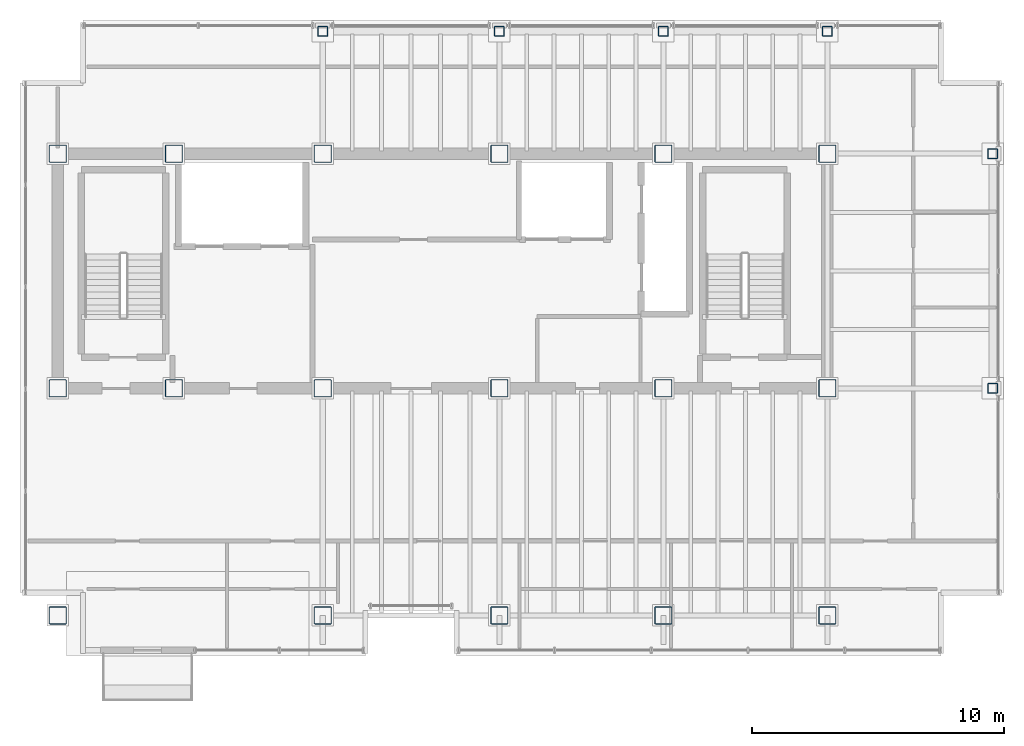
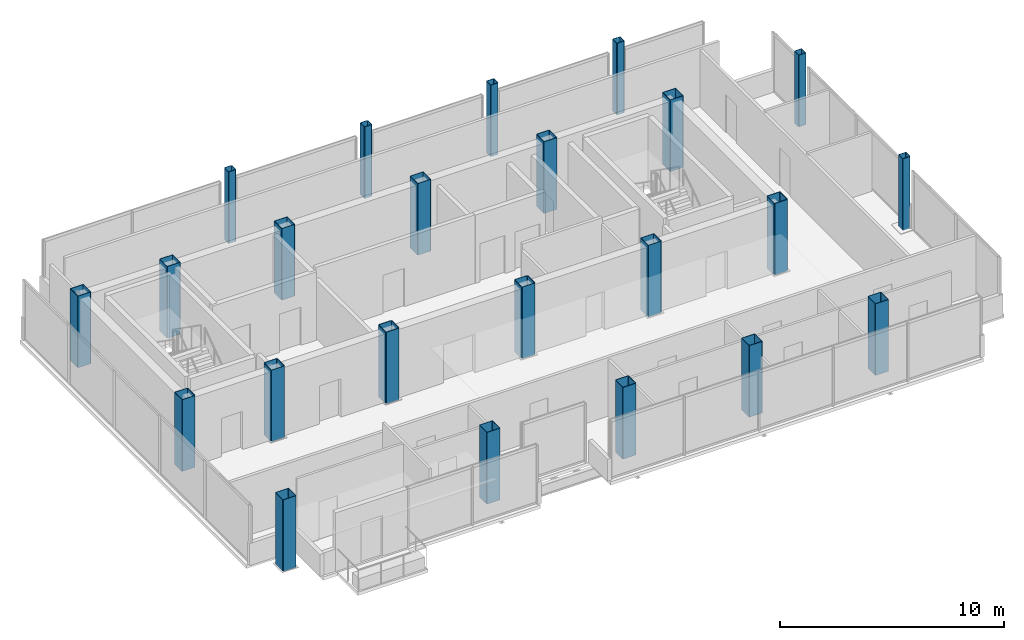
# One storey, part 1 of 17: 23 columns.
"""IFC4 building model written with IfcOpenShell, lengths in metres."""

from ifc_helpers import new_model, si_unit, direction, frame, origin, origin_2d, place, context, subcontext, project, spatial, hollow_rectangle, extrude, material, material_profile, profile_set, type_object, element, save


model = new_model("IFC4")

# Units and contexts
model_context = context("Model", 3, precision=1e-05, world=origin(), true_north=direction((0.0, 1.0)))
body_context = subcontext(model_context, "Body", "Model", "MODEL_VIEW")
ifc_project = project(units=[si_unit("LENGTHUNIT", "METRE"), si_unit("AREAUNIT", "SQUARE_METRE"), si_unit("VOLUMEUNIT", "CUBIC_METRE"), si_unit("PLANEANGLEUNIT", "RADIAN"), si_unit("MASSUNIT", "GRAM", prefix="KILO")], contexts=[model_context])

# Site, building, storey
site_placement = place(None, origin())
site = spatial("IfcSite", under=ifc_project, at=site_placement, CompositionType="ELEMENT")
building_placement = place(site_placement, origin())
building = spatial("IfcBuilding", under=site, at=building_placement, Name="Noeulbin Bourse Tower", CompositionType="ELEMENT")
storey_placement = place(building_placement, frame((0.0, 0.0, 296.89990234375)))
storey = spatial("IfcBuildingStorey", under=building, at=storey_placement, Name="L74", CompositionType="ELEMENT", Elevation=296.89990234375)

# Columns
ifc_material = material(Name="Steel S355", Category="steel")
ifc_material_profile_1 = material_profile(ifc_material, hollow_rectangle(XDim=0.39990234375, YDim=0.39990234375, WallThickness=0.02001953125, InnerFilletRadius=0.02001953125, OuterFilletRadius=0.0400390625, at=origin_2d()), Name="SHS-400x400x20", Category="LoadBearing")
ifc_profile_set_1 = profile_set([ifc_material_profile_1], Name="Steel S355")
column_type_1 = type_object("IfcColumnType", Name="COL-PER-Z4", PredefinedType="COLUMN", material=ifc_profile_set_1)
for number, where, z_axis, x_axis, name in (
    (1, (24.0, 43.14990234375, 0.0), (0.0, 0.0, 1.0), (1.0, 0.0, 0.0), "Tower Perimeter Column COL-PER-Z4 01"),
    (2, (31.0, 43.14990234375, 0.0), (0.0, 0.0, 1.0), (1.0, 0.0, 0.0), "Tower Perimeter Column COL-PER-Z4 02"),
    (3, (37.5, 43.14990234375, 0.0), (0.0, 0.0, 1.0), (1.0, 0.0, 0.0), "Tower Perimeter Column COL-PER-Z4 03"),
    (4, (44.0, 43.14990234375, 0.0), (0.0, 0.0, 1.0), (1.0, 0.0, 0.0), "Tower Perimeter Column COL-PER-Z4 04"),
    (5, (50.550048828125, 29.0, 0.0), (0.0, 0.0, 1.0), (1.0, 0.0, 0.0), "Tower Perimeter Column COL-PER-Z4 05"),
    (6, (50.550048828125, 38.300048828125, 0.0), (0.0, 0.0, 1.0), (1.0, 0.0, 0.0), "Tower Perimeter Column COL-PER-Z4 06"),
):
    element("IfcColumn", number, at=place(storey_placement, frame(where, z_axis=z_axis, x_axis=x_axis)), inside=storey, type_object=column_type_1, Name=name, PredefinedType="COLUMN", context=body_context, shape_type="SweptSolid", body=[
        extrude(hollow_rectangle(XDim=0.39990234375, YDim=0.39990234375, WallThickness=0.02001953125, InnerFilletRadius=0.02001953125, OuterFilletRadius=0.0400390625, at=origin_2d()), origin(), (0.0, 0.0, 1.0), 3.900146484375),
    ])
ifc_material_profile_2 = material_profile(ifc_material, hollow_rectangle(XDim=0.699951171875, YDim=0.699951171875, WallThickness=0.028076171875, InnerFilletRadius=0.013916015625, OuterFilletRadius=0.0419921875, at=origin_2d()), Name="BOX-700x700x28", Category="LoadBearing")
ifc_profile_set_2 = profile_set([ifc_material_profile_2], Name="Steel S355")
column_type_2 = type_object("IfcColumnType", Name="COL-TRK-Z4", PredefinedType="COLUMN", material=ifc_profile_set_2)
for number, where, z_axis, x_axis, name in (
    (7, (13.5, 29.0, 0.0), (0.0, 0.0, 1.0), (1.0, 0.0, 0.0), "Tower Trunk Mega-Column COL-TRK-Z4 01"),
    (8, (13.5, 38.300048828125, 0.0), (0.0, 0.0, 1.0), (1.0, 0.0, 0.0), "Tower Trunk Mega-Column COL-TRK-Z4 02"),
    (9, (18.10009765625, 29.0, 0.0), (0.0, 0.0, 1.0), (1.0, 0.0, 0.0), "Tower Trunk Mega-Column COL-TRK-Z4 03"),
    (10, (18.10009765625, 38.300048828125, 0.0), (0.0, 0.0, 1.0), (1.0, 0.0, 0.0), "Tower Trunk Mega-Column COL-TRK-Z4 04"),
    (11, (24.0, 29.0, 0.0), (0.0, 0.0, 1.0), (1.0, 0.0, 0.0), "Tower Trunk Mega-Column COL-TRK-Z4 05"),
    (12, (24.0, 38.300048828125, 0.0), (0.0, 0.0, 1.0), (1.0, 0.0, 0.0), "Tower Trunk Mega-Column COL-TRK-Z4 06"),
    (13, (31.0, 29.0, 0.0), (0.0, 0.0, 1.0), (1.0, 0.0, 0.0), "Tower Trunk Mega-Column COL-TRK-Z4 07"),
    (14, (31.0, 38.300048828125, 0.0), (0.0, 0.0, 1.0), (1.0, 0.0, 0.0), "Tower Trunk Mega-Column COL-TRK-Z4 08"),
    (15, (37.5, 29.0, 0.0), (0.0, 0.0, 1.0), (1.0, 0.0, 0.0), "Tower Trunk Mega-Column COL-TRK-Z4 09"),
    (16, (37.5, 38.300048828125, 0.0), (0.0, 0.0, 1.0), (1.0, 0.0, 0.0), "Tower Trunk Mega-Column COL-TRK-Z4 10"),
    (17, (44.0, 29.0, 0.0), (0.0, 0.0, 1.0), (1.0, 0.0, 0.0), "Tower Trunk Mega-Column COL-TRK-Z4 11"),
    (18, (44.0, 38.300048828125, 0.0), (0.0, 0.0, 1.0), (1.0, 0.0, 0.0), "Tower Trunk Mega-Column COL-TRK-Z4 12"),
    (19, (13.5, 20.0, 0.0), (0.0, 0.0, 1.0), (1.0, 0.0, 0.0), "Tower Trunk Mega-Column COL-TRK-Z4 13"),
    (20, (24.0, 20.0, 0.0), (0.0, 0.0, 1.0), (1.0, 0.0, 0.0), "Tower Trunk Mega-Column COL-TRK-Z4 14"),
    (21, (31.0, 20.0, 0.0), (0.0, 0.0, 1.0), (1.0, 0.0, 0.0), "Tower Trunk Mega-Column COL-TRK-Z4 15"),
    (22, (37.5, 20.0, 0.0), (0.0, 0.0, 1.0), (1.0, 0.0, 0.0), "Tower Trunk Mega-Column COL-TRK-Z4 16"),
    (23, (44.0, 20.0, 0.0), (0.0, 0.0, 1.0), (1.0, 0.0, 0.0), "Tower Trunk Mega-Column COL-TRK-Z4 17"),
):
    element("IfcColumn", number, at=place(storey_placement, frame(where, z_axis=z_axis, x_axis=x_axis)), inside=storey, type_object=column_type_2, Name=name, PredefinedType="COLUMN", context=body_context, shape_type="SweptSolid", body=[
        extrude(hollow_rectangle(XDim=0.699951171875, YDim=0.699951171875, WallThickness=0.028076171875, InnerFilletRadius=0.013916015625, OuterFilletRadius=0.0419921875, at=origin_2d()), origin(), (0.0, 0.0, 1.0), 3.900146484375),
    ])

save(model, "model.ifc")
